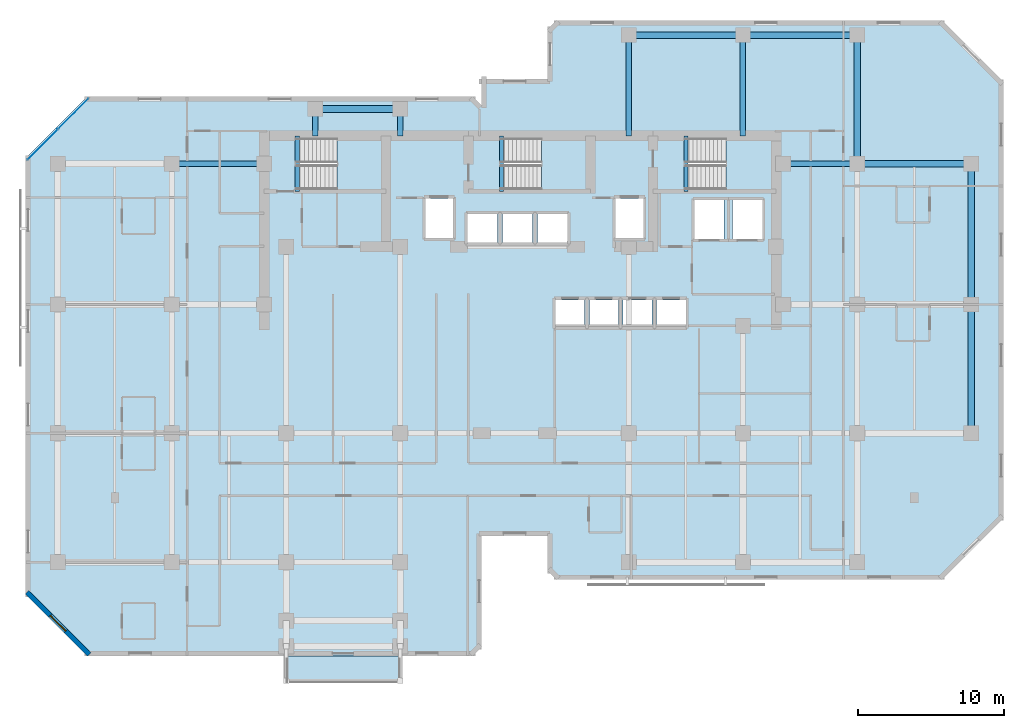
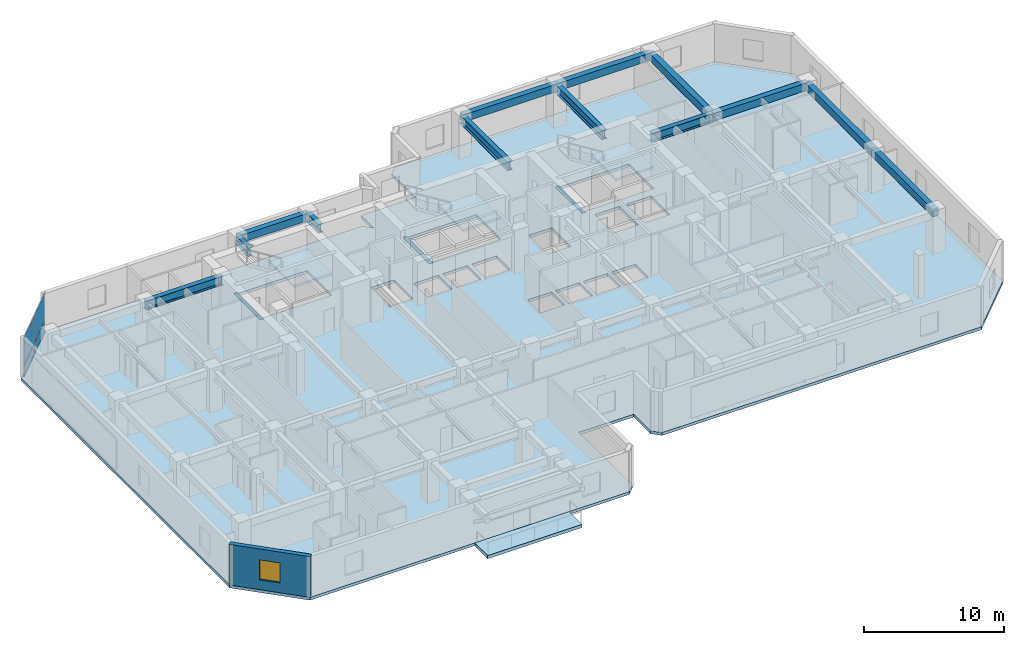
# One storey, part 4 of 11: 16 beams, 5 slabs, 4 plates, 1 wall, 1 window, 1 opening, 4 elements without a shape of their own.
"""IFC4 building model written with IfcOpenShell, lengths in metres."""

from ifc_helpers import new_model, si_unit, direction, frame, frame_2d, origin, origin_2d, place, context, subcontext, project, spatial, polyline, rectangle, i_section, outline, extrude, material, layer, layer_set, material_profile, profile_set, type_object, element, fill, aggregate, save


model = new_model("IFC4")

# Units and contexts
model_context = context("Model", 3, precision=1e-05, world=origin(), true_north=direction((0.0, 1.0)))
body_context = subcontext(model_context, "Body", "Model", "MODEL_VIEW")
ifc_project = project(units=[si_unit("LENGTHUNIT", "METRE"), si_unit("AREAUNIT", "SQUARE_METRE"), si_unit("VOLUMEUNIT", "CUBIC_METRE"), si_unit("PLANEANGLEUNIT", "RADIAN"), si_unit("MASSUNIT", "GRAM", prefix="KILO")], contexts=[model_context])

# Site, building, storey
site_placement = place(None, origin())
site = spatial("IfcSite", under=ifc_project, at=site_placement, CompositionType="ELEMENT")
building_placement = place(site_placement, origin())
building = spatial("IfcBuilding", under=site, at=building_placement, Name="Kestravale Grand Hotel", CompositionType="ELEMENT")
storey_placement = place(building_placement, frame((0.0, 0.0, 165.0)))
storey = spatial("IfcBuildingStorey", under=building, at=storey_placement, Name="L41", CompositionType="ELEMENT", Elevation=165.0)

# Beams
ifc_material_1 = material(Name="Concrete f'c 45 MPa", Category="concrete")
ifc_material_profile_1 = material_profile(ifc_material_1, rectangle(XDim=0.300048828125, YDim=0.39990234375, at=origin_2d()))
ifc_profile_set_1 = profile_set([ifc_material_profile_1], Name="Concrete f'c 45 MPa")
beam_type_1 = type_object("IfcBeamType", Name="B-FLR-LNT400", PredefinedType="LINTEL", material=ifc_profile_set_1)
for number, where, z_axis, x_axis, name in (
    (1, (24.159912109375, 36.52001953125, -0.199951171875), (0.0, 1.0, 0.0), (-1.0, 0.0, 0.0), "L41 ST1 flight bottom header beam"),
    (2, (38.110107421875, 36.52001953125, -0.199951171875), (0.0, 1.0, 0.0), (-1.0, 0.0, 0.0), "L41 ST2 flight bottom header beam"),
    (3, (50.7099609375, 36.52001953125, -0.199951171875), (0.0, 1.0, 0.0), (-1.0, 0.0, 0.0), "L41 ST3 flight bottom header beam"),
):
    element("IfcBeam", number, at=place(storey_placement, frame(where, z_axis=z_axis, x_axis=x_axis)), inside=storey, type_object=beam_type_1, Name=name, PredefinedType="LINTEL", context=body_context, shape_type="SweptSolid", body=[
        extrude(rectangle(XDim=0.300048828125, YDim=0.39990234375, at=origin_2d()), origin(), (0.0, 0.0, 1.0), 3.800048828125),
    ])
ifc_material_2 = material(Name="Concrete f'c 45 MPa", Category="concrete")
ifc_material_profile_2 = material_profile(ifc_material_2, rectangle(XDim=0.449951171875, YDim=0.64990234375, at=origin_2d()))
ifc_profile_set_2 = profile_set([ifc_material_profile_2], Name="Concrete f'c 45 MPa")
beam_type_2 = type_object("IfcBeamType", Name="B-FLR-RC650", PredefinedType="SPANDREL", material=ifc_profile_set_2)
for number, where, z_axis, x_axis, name in (
    (4, (62.39990234375, 38.39990234375, 3.22509765625), (1.0, 0.0, 0.0), (0.0, 1.0, 0.0), "L41 spandrel F:10-11"),
    (5, (46.800048828125, 47.199951171875, 3.22509765625), (1.0, 0.0, 0.0), (0.0, 1.0, 0.0), "L41 spandrel G:8-9"),
):
    element("IfcBeam", number, at=place(storey_placement, frame(where, z_axis=z_axis, x_axis=x_axis)), inside=storey, type_object=beam_type_2, Name=name, PredefinedType="SPANDREL", context=body_context, shape_type="SweptSolid", body=[
        extrude(rectangle(XDim=0.449951171875, YDim=0.64990234375, at=origin_2d()), origin(), (0.0, 0.0, 1.0), 7.800048828125),
    ])
beam_1_placement = place(storey_placement, frame((54.60009765625, 47.199951171875, 3.22509765625), z_axis=(1.0, 0.0, 0.0), x_axis=(0.0, 1.0, 0.0)))
element("IfcBeam", 6, at=beam_1_placement, inside=storey, type_object=beam_type_2, Name="L41 spandrel G:9-10", PredefinedType="SPANDREL", context=body_context, shape_type="SweptSolid", body=[
    extrude(rectangle(XDim=0.449951171875, YDim=0.64990234375, at=origin_2d()), origin(), (0.0, 0.0, 1.0), 7.7998046875),
])
beam_2_placement = place(storey_placement, frame((25.39990234375, 42.14990234375, 3.22509765625), z_axis=(1.0, 0.0, 0.0), x_axis=(0.0, 1.0, 0.0)))
element("IfcBeam", 7, at=beam_2_placement, inside=storey, type_object=beam_type_2, Name="L41 perimeter tie spandrel FN:4-5", PredefinedType="SPANDREL", context=body_context, shape_type="SweptSolid", body=[
    extrude(rectangle(XDim=0.449951171875, YDim=0.64990234375, at=origin_2d()), origin(), (0.0, 0.0, 1.0), 5.800048828125),
])
for number, where, z_axis, x_axis, name in (
    (8, (62.39990234375, 38.39990234375, 3.22509765625), (0.0, 1.0, 0.0), (-1.0, 0.0, 0.0), "L41 spandrel 10:F-G"),
    (9, (70.199951171875, 20.0, 3.22509765625), (0.0, 1.0, 0.0), (-1.0, 0.0, 0.0), "L41 spandrel 11:D-E"),
):
    element("IfcBeam", number, at=place(storey_placement, frame(where, z_axis=z_axis, x_axis=x_axis)), inside=storey, type_object=beam_type_2, Name=name, PredefinedType="SPANDREL", context=body_context, shape_type="SweptSolid", body=[
        extrude(rectangle(XDim=0.449951171875, YDim=0.64990234375, at=origin_2d()), origin(), (0.0, 0.0, 1.0), 8.800048828125),
    ])
beam_3_placement = place(storey_placement, frame((70.199951171875, 28.800048828125, 3.22509765625), z_axis=(0.0, 1.0, 0.0), x_axis=(-1.0, 0.0, 0.0)))
element("IfcBeam", 10, at=beam_3_placement, inside=storey, type_object=beam_type_2, Name="L41 spandrel 11:E-F", PredefinedType="SPANDREL", context=body_context, shape_type="SweptSolid", body=[
    extrude(rectangle(XDim=0.449951171875, YDim=0.64990234375, at=origin_2d()), origin(), (0.0, 0.0, 1.0), 9.599853515625),
])
ifc_material_3 = material(Name="Steel ASTM A992 Grade 50", Category="steel")
ifc_material_profile_3 = material_profile(ifc_material_3, i_section(OverallWidth=0.381103515625, OverallDepth=0.77197265625, WebThickness=0.0166015625, FlangeThickness=0.027099609375, FilletRadius=0.023681640625, at=origin_2d()))
ifc_profile_set_3 = profile_set([ifc_material_profile_3], Name="Steel ASTM A992 Grade 50")
beam_type_3 = type_object("IfcBeamType", Name="B-GRD-W30", PredefinedType="BEAM", material=ifc_profile_set_3)
beam_4_placement = place(storey_placement, frame((15.60009765625, 38.39990234375, 3.1640625), z_axis=(1.0, 0.0, 0.0), x_axis=(0.0, 1.0, 0.0)))
element("IfcBeam", 11, at=beam_4_placement, inside=storey, type_object=beam_type_3, Name="L41 girder F:3-CW", PredefinedType="BEAM", context=body_context, shape_type="SweptSolid", body=[
    extrude(i_section(OverallWidth=0.381103515625, OverallDepth=0.77197265625, WebThickness=0.0166015625, FlangeThickness=0.027099609375, FilletRadius=0.023681640625, at=origin_2d()), origin(), (0.0, 0.0, 1.0), 6.2998046875),
])
beam_5_placement = place(storey_placement, frame((57.35009765625, 38.39990234375, 3.1640625), z_axis=(1.0, 0.0, 0.0), x_axis=(0.0, 1.0, 0.0)))
element("IfcBeam", 12, at=beam_5_placement, inside=storey, type_object=beam_type_3, Name="L41 girder F:CE-10", PredefinedType="BEAM", context=body_context, shape_type="SweptSolid", body=[
    extrude(i_section(OverallWidth=0.381103515625, OverallDepth=0.77197265625, WebThickness=0.0166015625, FlangeThickness=0.027099609375, FilletRadius=0.023681640625, at=origin_2d()), origin(), (0.0, 0.0, 1.0), 5.0498046875),
])
for number, where, z_axis, x_axis, name in (
    (13, (25.39990234375, 40.320068359375, 3.1640625), (0.0, 1.0, 0.0), (-1.0, 0.0, 0.0), "L41 north wing tie girder 4:CN-FN"),
    (14, (31.199951171875, 40.320068359375, 3.1640625), (0.0, 1.0, 0.0), (-1.0, 0.0, 0.0), "L41 north wing tie girder 5:CN-FN"),
):
    element("IfcBeam", number, at=place(storey_placement, frame(where, z_axis=z_axis, x_axis=x_axis)), inside=storey, type_object=beam_type_3, Name=name, PredefinedType="BEAM", context=body_context, shape_type="SweptSolid", body=[
        extrude(i_section(OverallWidth=0.381103515625, OverallDepth=0.77197265625, WebThickness=0.0166015625, FlangeThickness=0.027099609375, FilletRadius=0.023681640625, at=origin_2d()), origin(), (0.0, 0.0, 1.0), 1.829833984375),
    ])
for number, where, z_axis, x_axis, name in (
    (15, (46.800048828125, 40.320068359375, 3.1640625), (0.0, 1.0, 0.0), (-1.0, 0.0, 0.0), "L41 north wing tie girder 8:CN-G"),
    (16, (54.60009765625, 40.320068359375, 3.1640625), (0.0, 1.0, 0.0), (-1.0, 0.0, 0.0), "L41 north wing tie girder 9:CN-G"),
):
    element("IfcBeam", number, at=place(storey_placement, frame(where, z_axis=z_axis, x_axis=x_axis)), inside=storey, type_object=beam_type_3, Name=name, PredefinedType="BEAM", context=body_context, shape_type="SweptSolid", body=[
        extrude(i_section(OverallWidth=0.381103515625, OverallDepth=0.77197265625, WebThickness=0.0166015625, FlangeThickness=0.027099609375, FilletRadius=0.023681640625, at=origin_2d()), origin(), (0.0, 0.0, 1.0), 6.8798828125),
    ])

# Curtain wall, plates
ifc_material_4 = material(Name="Thermally broken champagne-bronze aluminium and low-E glazing", Category="aluminium")
ifc_layer_1 = layer(ifc_material_4, 0.179931640625)
ifc_layer_set_1 = layer_set([ifc_layer_1], Name="CW-Z3")
curtain_wall_type = type_object("IfcCurtainWallType", Name="CW-Z3", PredefinedType="NOTDEFINED", material=ifc_layer_set_1)
curtain_wall_placement = place(storey_placement, origin())
curtain_wall = element("IfcCurtainWall", 17, at=curtain_wall_placement, inside=storey, type_object=curtain_wall_type, Name="L41 unitised curtain wall 18", PredefinedType="NOTDEFINED")
ifc_material_5 = material(Name="Insulated clear low-E double glazing IGU", Category="glass")
ifc_layer_2 = layer(ifc_material_5, 0.031982421875)
ifc_layer_set_2 = layer_set([ifc_layer_2], Name="CW-PNL-32")
plate_type = type_object("IfcPlateType", Name="CW-PNL-32", PredefinedType="CURTAIN_PANEL", material=ifc_layer_set_2)
plate_1_placement = place(storey_placement, frame((8.86572265625, 41.825439453125, 0.06494140625), z_axis=(0.0, 0.0, 1.0), x_axis=(-0.707106781187, -0.707106781187, 0.0)))
plate_1 = element("IfcPlate", 18, at=plate_1_placement, type_object=plate_type, Name="CW-Z3 panel 1.1", PredefinedType="CURTAIN_PANEL", context=body_context, shape_type="SweptSolid", body=[
    extrude(rectangle(XDim=2.892333984375, YDim=0.031982421875, at=origin_2d()), origin(), (0.0, 0.0, 1.0), 0.952392578125),
])
plate_2_placement = place(storey_placement, frame((8.86572265625, 41.825439453125, 1.08251953125), z_axis=(0.0, 0.0, 1.0), x_axis=(-0.707106781187, -0.707106781187, 0.0)))
plate_2 = element("IfcPlate", 19, at=plate_2_placement, type_object=plate_type, Name="CW-Z3 panel 1.2", PredefinedType="CURTAIN_PANEL", context=body_context, shape_type="SweptSolid", body=[
    extrude(rectangle(XDim=2.892333984375, YDim=0.031982421875, at=origin_2d()), origin(), (0.0, 0.0, 1.0), 2.402587890625),
])
plate_3_placement = place(storey_placement, frame((6.774658203125, 39.734130859375, 0.06494140625), z_axis=(0.0, 0.0, 1.0), x_axis=(-0.707106781187, -0.707106781187, 0.0)))
plate_3 = element("IfcPlate", 20, at=plate_3_placement, type_object=plate_type, Name="CW-Z3 panel 2.1", PredefinedType="CURTAIN_PANEL", context=body_context, shape_type="SweptSolid", body=[
    extrude(rectangle(XDim=2.892333984375, YDim=0.031982421875, at=origin_2d()), origin(), (0.0, 0.0, 1.0), 0.952392578125),
])
plate_4_placement = place(storey_placement, frame((6.774658203125, 39.734130859375, 1.08251953125), z_axis=(0.0, 0.0, 1.0), x_axis=(-0.707106781187, -0.707106781187, 0.0)))
plate_4 = element("IfcPlate", 21, at=plate_4_placement, type_object=plate_type, Name="CW-Z3 panel 2.2", PredefinedType="CURTAIN_PANEL", context=body_context, shape_type="SweptSolid", body=[
    extrude(rectangle(XDim=2.892333984375, YDim=0.031982421875, at=origin_2d()), origin(), (0.0, 0.0, 1.0), 2.402587890625),
])
aggregate(curtain_wall, [plate_1, plate_2, plate_3, plate_4])

# Slab
ifc_material_6 = material(Name="Concrete f'c 45 MPa", Category="concrete")
ifc_layer_3 = layer(ifc_material_6, 0.27001953125)
ifc_layer_set_3 = layer_set([ifc_layer_3], Name="ES-TERR-270")
slab_type_1 = type_object("IfcSlabType", Name="ES-TERR-270", PredefinedType="FLOOR", material=ifc_layer_set_3)
slab_1_placement = place(storey_placement, frame((0.0, 0.0, -0.27001953125)))
element("IfcSlab", 22, at=slab_1_placement, inside=storey, type_object=slab_type_1, Name="L41 spiralling planted garden terrace", PredefinedType="FLOOR", context=body_context, shape_type="SweptSolid", body=[
    extrude(outline(polyline([(23.39990234375, 2.949951171875), (31.199951171875, 2.949951171875), (31.199951171875, 4.800048828125), (23.39990234375, 4.800048828125), (23.39990234375, 2.949951171875)])), origin(), (0.0, 0.0, 1.0), 0.27001953125),
])

# Stair, slab
ifc_material_7 = material(Name="Concrete f'c 45 MPa", Category="concrete")
stair_type = type_object("IfcStairType", Name="ST-CORE-380", PredefinedType="HALF_TURN_STAIR", material=ifc_material_7)
stair_1_placement = place(storey_placement, origin())
stair_1 = element("IfcStair", 23, at=stair_1_placement, inside=storey, type_object=stair_type, Name="L41 ST-1", PredefinedType="HALF_TURN_STAIR")
ifc_material_8 = material(Name="Concrete f'c 45 MPa", Category="concrete")
ifc_layer_4 = layer(ifc_material_8, 0.199951171875)
ifc_layer_set_4 = layer_set([ifc_layer_4], Name="SLB-ST-LND200")
slab_type_2 = type_object("IfcSlabType", Name="SLB-ST-LND200", PredefinedType="LANDING", material=ifc_layer_set_4)
slab_2_placement = place(storey_placement, frame((0.0, 0.0, 1.699951171875)))
slab_2 = element("IfcSlab", 24, at=slab_2_placement, type_object=slab_type_2, Name="ST-1 landing 1", PredefinedType="LANDING", context=body_context, shape_type="SweptSolid", body=[
    extrude(outline(polyline([(26.8798828125, 36.64990234375), (30.0, 36.64990234375), (30.0, 40.159912109375), (26.8798828125, 40.159912109375), (26.8798828125, 36.64990234375)])), origin(), (0.0, 0.0, 1.0), 0.199951171875),
])
aggregate(stair_1, [slab_2])

stair_2_placement = place(storey_placement, origin())
stair_2 = element("IfcStair", 25, at=stair_2_placement, inside=storey, type_object=stair_type, Name="L41 ST-2", PredefinedType="HALF_TURN_STAIR")
slab_3_placement = place(storey_placement, frame((0.0, 0.0, 1.699951171875)))
slab_3 = element("IfcSlab", 26, at=slab_3_placement, type_object=slab_type_2, Name="ST-2 landing 1", PredefinedType="LANDING", context=body_context, shape_type="SweptSolid", body=[
    extrude(outline(polyline([(40.830078125, 36.64990234375), (43.949951171875, 36.64990234375), (43.949951171875, 40.159912109375), (40.830078125, 40.159912109375), (40.830078125, 36.64990234375)])), origin(), (0.0, 0.0, 1.0), 0.199951171875),
])
aggregate(stair_2, [slab_3])

stair_3_placement = place(storey_placement, origin())
stair_3 = element("IfcStair", 27, at=stair_3_placement, inside=storey, type_object=stair_type, Name="L41 ST-3", PredefinedType="HALF_TURN_STAIR")
slab_4_placement = place(storey_placement, frame((0.0, 0.0, 1.699951171875)))
slab_4 = element("IfcSlab", 28, at=slab_4_placement, type_object=slab_type_2, Name="ST-3 landing 1", PredefinedType="LANDING", context=body_context, shape_type="SweptSolid", body=[
    extrude(outline(polyline([(53.429931640625, 36.64990234375), (56.550048828125, 36.64990234375), (56.550048828125, 40.159912109375), (53.429931640625, 40.159912109375), (53.429931640625, 36.64990234375)])), origin(), (0.0, 0.0, 1.0), 0.199951171875),
])
aggregate(stair_3, [slab_4])

# Slab
ifc_material_9 = material(Name="Concrete f'c 45 MPa", Category="concrete")
ifc_layer_5 = layer(ifc_material_9, 0.25)
ifc_layer_set_5 = layer_set([ifc_layer_5], Name="SS-FLR-250")
slab_type_3 = type_object("IfcSlabType", Name="SS-FLR-250", PredefinedType="FLOOR", material=ifc_layer_set_5)
slab_5_placement = place(storey_placement, frame((0.0, 0.0, -0.25)))
element("IfcSlab", 29, at=slab_5_placement, inside=storey, type_object=slab_type_3, Name="L41 structural floor slab", PredefinedType="FLOOR", context=body_context, shape_type="SweptSolid", body=[
    extrude(outline(polyline([(9.800048828125, 4.800048828125), (36.14990234375, 4.800048828125), (36.75, 5.39990234375), (36.75, 13.0), (41.25, 13.0), (41.25, 10.60009765625), (41.85009765625, 10.0), (68.199951171875, 10.0), (72.39990234375, 14.199951171875), (72.39990234375, 44.0), (68.199951171875, 48.199951171875), (41.85009765625, 48.199951171875), (41.25, 47.60009765625), (41.25, 44.199951171875), (36.75, 44.199951171875), (36.75, 42.39990234375), (36.14990234375, 43.0), (9.800048828125, 43.0), (5.60009765625, 38.800048828125), (5.60009765625, 9.0), (9.800048828125, 4.800048828125)]), holes=[polyline([(24.080078125, 36.64990234375), (30.0, 36.64990234375), (30.0, 40.159912109375), (24.080078125, 40.159912109375), (24.080078125, 36.64990234375)]), polyline([(38.030029296875, 36.64990234375), (43.949951171875, 36.64990234375), (43.949951171875, 40.159912109375), (38.030029296875, 40.159912109375), (38.030029296875, 36.64990234375)]), polyline([(50.6298828125, 36.64990234375), (56.550048828125, 36.64990234375), (56.550048828125, 40.159912109375), (50.6298828125, 40.159912109375), (50.6298828125, 36.64990234375)]), polyline([(41.804931640625, 27.280029296875), (43.794921875, 27.280029296875), (43.794921875, 29.1201171875), (41.804931640625, 29.1201171875), (41.804931640625, 27.280029296875)]), polyline([(44.10498046875, 27.280029296875), (46.094970703125, 27.280029296875), (46.094970703125, 29.1201171875), (44.10498046875, 29.1201171875), (44.10498046875, 27.280029296875)]), polyline([(46.405029296875, 27.280029296875), (48.39501953125, 27.280029296875), (48.39501953125, 29.1201171875), (46.405029296875, 29.1201171875), (46.405029296875, 27.280029296875)]), polyline([(48.705078125, 27.280029296875), (50.695068359375, 27.280029296875), (50.695068359375, 29.1201171875), (48.705078125, 29.1201171875), (48.705078125, 27.280029296875)]), polyline([(35.780029296875, 33.030029296875), (37.820068359375, 33.030029296875), (37.820068359375, 34.969970703125), (35.780029296875, 34.969970703125), (35.780029296875, 33.030029296875)]), polyline([(38.179931640625, 33.030029296875), (40.219970703125, 33.030029296875), (40.219970703125, 34.969970703125), (38.179931640625, 34.969970703125), (38.179931640625, 33.030029296875)]), polyline([(40.580078125, 33.030029296875), (42.6201171875, 33.030029296875), (42.6201171875, 34.969970703125), (40.580078125, 34.969970703125), (40.580078125, 33.030029296875)]), polyline([(32.905029296875, 33.35498046875), (34.794921875, 33.35498046875), (34.794921875, 36.044921875), (32.905029296875, 36.044921875), (32.905029296875, 33.35498046875)]), polyline([(45.905029296875, 33.35498046875), (47.794921875, 33.35498046875), (47.794921875, 36.044921875), (45.905029296875, 36.044921875), (45.905029296875, 33.35498046875)]), polyline([(51.280029296875, 33.280029296875), (53.320068359375, 33.280029296875), (53.320068359375, 35.919921875), (51.280029296875, 35.919921875), (51.280029296875, 33.280029296875)]), polyline([(53.8798828125, 33.280029296875), (55.919921875, 33.280029296875), (55.919921875, 35.919921875), (53.8798828125, 35.919921875), (53.8798828125, 33.280029296875)])]), origin(), (0.0, 0.0, 1.0), 0.25),
])

# Wall, opening, window
ifc_material_10 = material(Name="Precast concrete f'c 45 MPa", Category="concrete")
ifc_layer_6 = layer(ifc_material_10, 0.340087890625)
ifc_layer_set_6 = layer_set([ifc_layer_6], Name="EW-PREC-340")
wall_type = type_object("IfcWallType", Name="EW-PREC-340", PredefinedType="SOLIDWALL", material=ifc_layer_set_6)
wall_placement = place(storey_placement, frame((5.69189453125, 9.1484375, 0.0), z_axis=(0.0, 0.0, 1.0), x_axis=(0.707106781187, -0.707106781187, 0.0)))
wall = element("IfcWall", 30, at=wall_placement, inside=storey, type_object=wall_type, Name="L41 fluted precast facade wall 20", PredefinedType="SOLIDWALL", context=body_context, shape_type="SweptSolid", body=[
    extrude(rectangle(XDim=6.019775390625, YDim=0.340087890625, at=frame_2d((3.009765625, 0.0))), origin(), (0.0, 0.0, 1.0), 3.550048828125),
])
opening_placement = place(wall_placement, frame((2.260009765625, 0.0, 0.85009765625)))
opening = element("IfcOpeningElement", 31, at=opening_placement, cuts=wall, Name="Opening W-GUEST-1500", PredefinedType="OPENING", context=body_context, shape_type="SweptSolid", body=[
    extrude(rectangle(XDim=1.5, YDim=1.75, at=frame_2d((0.75, 0.875))), frame((0.0, 0.179931640625, 0.0), z_axis=(0.0, -1.0, 0.0), x_axis=(1.0, 0.0, 0.0)), (0.0, 0.0, 1.0), 0.360107421875),
])
ifc_material_11 = material(Name="Insulated low-E double glazing in aluminium frame", Category="aluminium")
window_type = type_object("IfcWindowType", Name="W-GUEST-1500", PartitioningType="SINGLE_PANEL", PredefinedType="WINDOW", material=ifc_material_11)
window_placement = place(opening_placement, origin())
window = element("IfcWindow", 32, at=window_placement, inside=storey, type_object=window_type, Name="L41 exterior window 20.1", OverallHeight=1.75, OverallWidth=1.5, PartitioningType="SINGLE_PANEL", PredefinedType="WINDOW", context=body_context, shape_type="SweptSolid", body=[
    extrude(rectangle(XDim=1.5, YDim=1.75, at=frame_2d((0.75, 0.875))), frame((0.0, 0.030029296875, 0.0), z_axis=(0.0, -1.0, 0.0), x_axis=(1.0, 0.0, 0.0)), (0.0, 0.0, 1.0), 0.06005859375),
])
fill(opening, window)

save(model, "model.ifc")
